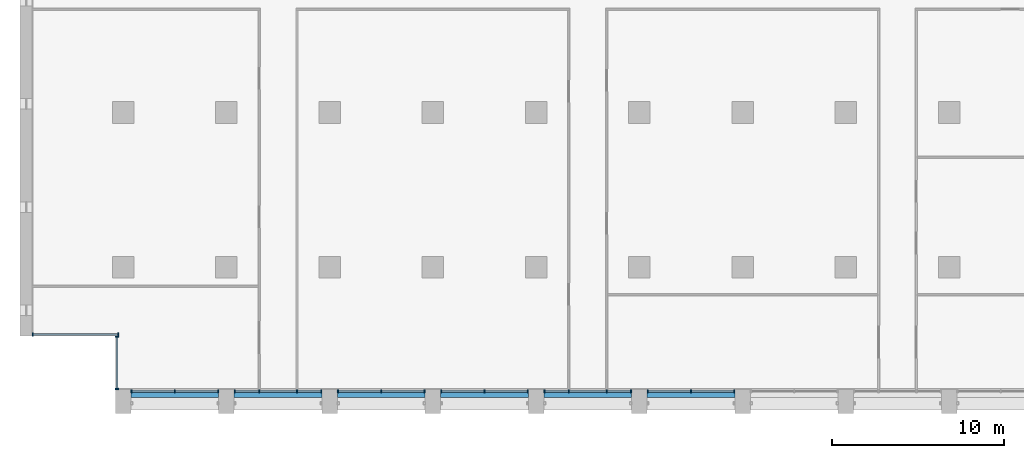
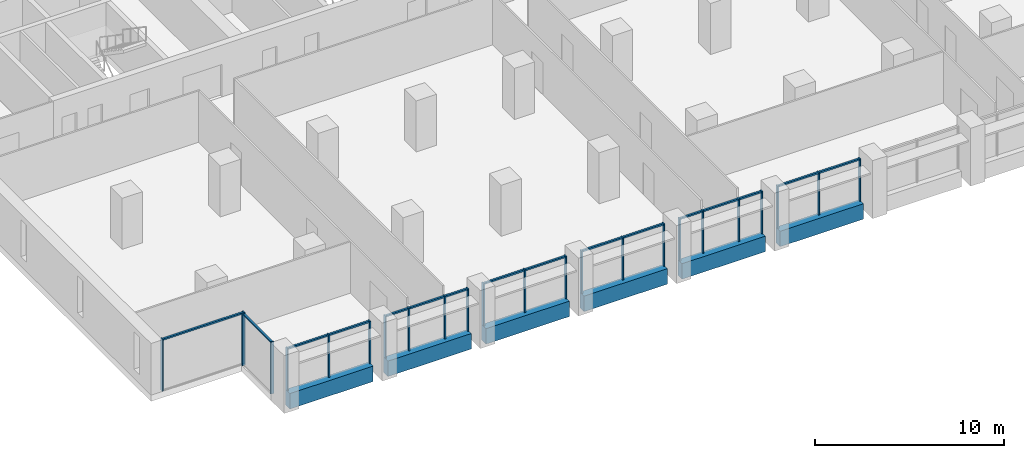
# One storey, part 2 of 16: 40 members, 6 beams, 8 elements without a shape of their own.
"""IFC4 building model written with IfcOpenShell, lengths in metres."""

from ifc_helpers import new_model, si_unit, direction, frame, origin, origin_2d, place, context, subcontext, project, spatial, rectangle, extrude, material, material_profile, profile_set, type_object, element, aggregate, save


model = new_model("IFC4")

# Units and contexts
model_context = context("Model", 3, precision=1e-05, world=origin(), true_north=direction((0.0, 1.0)))
body_context = subcontext(model_context, "Body", "Model", "MODEL_VIEW")
ifc_project = project(units=[si_unit("LENGTHUNIT", "METRE"), si_unit("AREAUNIT", "SQUARE_METRE"), si_unit("VOLUMEUNIT", "CUBIC_METRE"), si_unit("PLANEANGLEUNIT", "RADIAN"), si_unit("MASSUNIT", "GRAM", prefix="KILO")], contexts=[model_context])

# Site, building, storey
site_placement = place(None, origin())
site = spatial("IfcSite", under=ifc_project, at=site_placement, CompositionType="ELEMENT")
building_placement = place(site_placement, origin())
building = spatial("IfcBuilding", under=site, at=building_placement, Name="Calvaro Tower", CompositionType="ELEMENT")
storey_placement = place(building_placement, frame((0.0, 0.0, 140.0)))
storey = spatial("IfcBuildingStorey", under=building, at=storey_placement, Name="L35", CompositionType="ELEMENT", Elevation=140.0)

# Curtain wall, members
ifc_material_1 = material(Name="Anodised aluminium", Category="aluminium")
curtain_wall_type = type_object("IfcCurtainWallType", Name="Office curtain wall, middle zone", PredefinedType="NOTDEFINED", material=ifc_material_1)
curtain_wall_1_placement = place(storey_placement, origin())
curtain_wall_1 = element("IfcCurtainWall", 1, at=curtain_wall_1_placement, inside=storey, type_object=curtain_wall_type, Name="CW2 south curtain wall", PredefinedType="NOTDEFINED")
ifc_material_2 = material(Name="Anodised aluminium", Category="aluminium")
ifc_material_profile_1 = material_profile(ifc_material_2, rectangle(XDim=0.199951171875, YDim=0.070068359375, at=origin_2d()), Name="Mullion S2 70 x 200")
ifc_profile_set_1 = profile_set([ifc_material_profile_1], Name="Anodised aluminium")
member_type_1 = type_object("IfcMemberType", Name="Mullion S2 70 x 200", PredefinedType="MULLION", material=ifc_profile_set_1)
member_1_placement = place(storey_placement, frame((6.485107421875, 2.800048828125, 0.0), z_axis=(0.0, 0.0, 1.0), x_axis=(0.0, 1.0, 0.0)))
member_1 = element("IfcMember", 2, at=member_1_placement, type_object=member_type_1, Name="CW2 mullion 1", PredefinedType="MULLION", context=body_context, shape_type="SweptSolid", body=[
    extrude(rectangle(XDim=0.199951171875, YDim=0.070068359375, at=origin_2d()), origin(), (0.0, 0.0, 1.0), 2.75),
])
member_2_placement = place(storey_placement, frame((9.0, 2.800048828125, 0.0), z_axis=(0.0, 0.0, 1.0), x_axis=(0.0, 1.0, 0.0)))
member_2 = element("IfcMember", 3, at=member_2_placement, type_object=member_type_1, Name="CW2 mullion 2", PredefinedType="MULLION", context=body_context, shape_type="SweptSolid", body=[
    extrude(rectangle(XDim=0.199951171875, YDim=0.070068359375, at=origin_2d()), origin(), (0.0, 0.0, 1.0), 2.75),
])
member_3_placement = place(storey_placement, frame((11.514892578125, 2.800048828125, 0.0), z_axis=(0.0, 0.0, 1.0), x_axis=(0.0, 1.0, 0.0)))
member_3 = element("IfcMember", 4, at=member_3_placement, type_object=member_type_1, Name="CW2 mullion 3", PredefinedType="MULLION", context=body_context, shape_type="SweptSolid", body=[
    extrude(rectangle(XDim=0.199951171875, YDim=0.070068359375, at=origin_2d()), origin(), (0.0, 0.0, 1.0), 2.75),
])

curtain_wall_2_placement = place(storey_placement, origin())
curtain_wall_2 = element("IfcCurtainWall", 5, at=curtain_wall_2_placement, inside=storey, type_object=curtain_wall_type, Name="CW2 south curtain wall", PredefinedType="NOTDEFINED")
member_4_placement = place(storey_placement, frame((12.485107421875, 2.800048828125, 0.0), z_axis=(0.0, 0.0, 1.0), x_axis=(0.0, 1.0, 0.0)))
member_4 = element("IfcMember", 6, at=member_4_placement, type_object=member_type_1, Name="CW2 mullion 1", PredefinedType="MULLION", context=body_context, shape_type="SweptSolid", body=[
    extrude(rectangle(XDim=0.199951171875, YDim=0.070068359375, at=origin_2d()), origin(), (0.0, 0.0, 1.0), 2.75),
])
member_5_placement = place(storey_placement, frame((13.89990234375, 2.800048828125, 0.0), z_axis=(0.0, 0.0, 1.0), x_axis=(0.0, 1.0, 0.0)))
member_5 = element("IfcMember", 7, at=member_5_placement, type_object=member_type_1, Name="CW2 mullion 2", PredefinedType="MULLION", context=body_context, shape_type="SweptSolid", body=[
    extrude(rectangle(XDim=0.199951171875, YDim=0.070068359375, at=origin_2d()), origin(), (0.0, 0.0, 1.0), 2.75),
])
member_6_placement = place(storey_placement, frame((16.10009765625, 2.800048828125, 0.0), z_axis=(0.0, 0.0, 1.0), x_axis=(0.0, 1.0, 0.0)))
member_6 = element("IfcMember", 8, at=member_6_placement, type_object=member_type_1, Name="CW2 mullion 3", PredefinedType="MULLION", context=body_context, shape_type="SweptSolid", body=[
    extrude(rectangle(XDim=0.199951171875, YDim=0.070068359375, at=origin_2d()), origin(), (0.0, 0.0, 1.0), 2.75),
])
member_7_placement = place(storey_placement, frame((17.514892578125, 2.800048828125, 0.0), z_axis=(0.0, 0.0, 1.0), x_axis=(0.0, 1.0, 0.0)))
member_7 = element("IfcMember", 9, at=member_7_placement, type_object=member_type_1, Name="CW2 mullion 4", PredefinedType="MULLION", context=body_context, shape_type="SweptSolid", body=[
    extrude(rectangle(XDim=0.199951171875, YDim=0.070068359375, at=origin_2d()), origin(), (0.0, 0.0, 1.0), 2.75),
])

curtain_wall_3_placement = place(storey_placement, origin())
curtain_wall_3 = element("IfcCurtainWall", 10, at=curtain_wall_3_placement, inside=storey, type_object=curtain_wall_type, Name="CW2 south curtain wall", PredefinedType="NOTDEFINED")
member_8_placement = place(storey_placement, frame((18.485107421875, 2.800048828125, 0.0), z_axis=(0.0, 0.0, 1.0), x_axis=(0.0, 1.0, 0.0)))
member_8 = element("IfcMember", 11, at=member_8_placement, type_object=member_type_1, Name="CW2 mullion 1", PredefinedType="MULLION", context=body_context, shape_type="SweptSolid", body=[
    extrude(rectangle(XDim=0.199951171875, YDim=0.070068359375, at=origin_2d()), origin(), (0.0, 0.0, 1.0), 2.75),
])
member_9_placement = place(storey_placement, frame((21.0, 2.800048828125, 0.0), z_axis=(0.0, 0.0, 1.0), x_axis=(0.0, 1.0, 0.0)))
member_9 = element("IfcMember", 12, at=member_9_placement, type_object=member_type_1, Name="CW2 mullion 2", PredefinedType="MULLION", context=body_context, shape_type="SweptSolid", body=[
    extrude(rectangle(XDim=0.199951171875, YDim=0.070068359375, at=origin_2d()), origin(), (0.0, 0.0, 1.0), 2.75),
])
member_10_placement = place(storey_placement, frame((23.514892578125, 2.800048828125, 0.0), z_axis=(0.0, 0.0, 1.0), x_axis=(0.0, 1.0, 0.0)))
member_10 = element("IfcMember", 13, at=member_10_placement, type_object=member_type_1, Name="CW2 mullion 3", PredefinedType="MULLION", context=body_context, shape_type="SweptSolid", body=[
    extrude(rectangle(XDim=0.199951171875, YDim=0.070068359375, at=origin_2d()), origin(), (0.0, 0.0, 1.0), 2.75),
])

curtain_wall_4_placement = place(storey_placement, origin())
curtain_wall_4 = element("IfcCurtainWall", 14, at=curtain_wall_4_placement, inside=storey, type_object=curtain_wall_type, Name="CW2 south curtain wall", PredefinedType="NOTDEFINED")
member_11_placement = place(storey_placement, frame((24.485107421875, 2.800048828125, 0.0), z_axis=(0.0, 0.0, 1.0), x_axis=(0.0, 1.0, 0.0)))
member_11 = element("IfcMember", 15, at=member_11_placement, type_object=member_type_1, Name="CW2 mullion 1", PredefinedType="MULLION", context=body_context, shape_type="SweptSolid", body=[
    extrude(rectangle(XDim=0.199951171875, YDim=0.070068359375, at=origin_2d()), origin(), (0.0, 0.0, 1.0), 2.75),
])
member_12_placement = place(storey_placement, frame((27.0, 2.800048828125, 0.0), z_axis=(0.0, 0.0, 1.0), x_axis=(0.0, 1.0, 0.0)))
member_12 = element("IfcMember", 16, at=member_12_placement, type_object=member_type_1, Name="CW2 mullion 2", PredefinedType="MULLION", context=body_context, shape_type="SweptSolid", body=[
    extrude(rectangle(XDim=0.199951171875, YDim=0.070068359375, at=origin_2d()), origin(), (0.0, 0.0, 1.0), 2.75),
])
member_13_placement = place(storey_placement, frame((29.514892578125, 2.800048828125, 0.0), z_axis=(0.0, 0.0, 1.0), x_axis=(0.0, 1.0, 0.0)))
member_13 = element("IfcMember", 17, at=member_13_placement, type_object=member_type_1, Name="CW2 mullion 3", PredefinedType="MULLION", context=body_context, shape_type="SweptSolid", body=[
    extrude(rectangle(XDim=0.199951171875, YDim=0.070068359375, at=origin_2d()), origin(), (0.0, 0.0, 1.0), 2.75),
])

curtain_wall_5_placement = place(storey_placement, origin())
curtain_wall_5 = element("IfcCurtainWall", 18, at=curtain_wall_5_placement, inside=storey, type_object=curtain_wall_type, Name="CW2 south curtain wall", PredefinedType="NOTDEFINED")
member_14_placement = place(storey_placement, frame((30.485107421875, 2.800048828125, 0.0), z_axis=(0.0, 0.0, 1.0), x_axis=(0.0, 1.0, 0.0)))
member_14 = element("IfcMember", 19, at=member_14_placement, type_object=member_type_1, Name="CW2 mullion 1", PredefinedType="MULLION", context=body_context, shape_type="SweptSolid", body=[
    extrude(rectangle(XDim=0.199951171875, YDim=0.070068359375, at=origin_2d()), origin(), (0.0, 0.0, 1.0), 2.75),
])
member_15_placement = place(storey_placement, frame((31.89990234375, 2.800048828125, 0.0), z_axis=(0.0, 0.0, 1.0), x_axis=(0.0, 1.0, 0.0)))
member_15 = element("IfcMember", 20, at=member_15_placement, type_object=member_type_1, Name="CW2 mullion 2", PredefinedType="MULLION", context=body_context, shape_type="SweptSolid", body=[
    extrude(rectangle(XDim=0.199951171875, YDim=0.070068359375, at=origin_2d()), origin(), (0.0, 0.0, 1.0), 2.75),
])
member_16_placement = place(storey_placement, frame((34.10009765625, 2.800048828125, 0.0), z_axis=(0.0, 0.0, 1.0), x_axis=(0.0, 1.0, 0.0)))
member_16 = element("IfcMember", 21, at=member_16_placement, type_object=member_type_1, Name="CW2 mullion 3", PredefinedType="MULLION", context=body_context, shape_type="SweptSolid", body=[
    extrude(rectangle(XDim=0.199951171875, YDim=0.070068359375, at=origin_2d()), origin(), (0.0, 0.0, 1.0), 2.75),
])
member_17_placement = place(storey_placement, frame((35.514892578125, 2.800048828125, 0.0), z_axis=(0.0, 0.0, 1.0), x_axis=(0.0, 1.0, 0.0)))
member_17 = element("IfcMember", 22, at=member_17_placement, type_object=member_type_1, Name="CW2 mullion 4", PredefinedType="MULLION", context=body_context, shape_type="SweptSolid", body=[
    extrude(rectangle(XDim=0.199951171875, YDim=0.070068359375, at=origin_2d()), origin(), (0.0, 0.0, 1.0), 2.75),
])

curtain_wall_6_placement = place(storey_placement, origin())
curtain_wall_6 = element("IfcCurtainWall", 23, at=curtain_wall_6_placement, inside=storey, type_object=curtain_wall_type, Name="CW2 south curtain wall", PredefinedType="NOTDEFINED")
member_18_placement = place(storey_placement, frame((36.485107421875, 2.800048828125, 0.0), z_axis=(0.0, 0.0, 1.0), x_axis=(0.0, 1.0, 0.0)))
member_18 = element("IfcMember", 24, at=member_18_placement, type_object=member_type_1, Name="CW2 mullion 1", PredefinedType="MULLION", context=body_context, shape_type="SweptSolid", body=[
    extrude(rectangle(XDim=0.199951171875, YDim=0.070068359375, at=origin_2d()), origin(), (0.0, 0.0, 1.0), 2.75),
])
member_19_placement = place(storey_placement, frame((39.0, 2.800048828125, 0.0), z_axis=(0.0, 0.0, 1.0), x_axis=(0.0, 1.0, 0.0)))
member_19 = element("IfcMember", 25, at=member_19_placement, type_object=member_type_1, Name="CW2 mullion 2", PredefinedType="MULLION", context=body_context, shape_type="SweptSolid", body=[
    extrude(rectangle(XDim=0.199951171875, YDim=0.070068359375, at=origin_2d()), origin(), (0.0, 0.0, 1.0), 2.75),
])
member_20_placement = place(storey_placement, frame((41.514892578125, 2.800048828125, 0.0), z_axis=(0.0, 0.0, 1.0), x_axis=(0.0, 1.0, 0.0)))
member_20 = element("IfcMember", 26, at=member_20_placement, type_object=member_type_1, Name="CW2 mullion 3", PredefinedType="MULLION", context=body_context, shape_type="SweptSolid", body=[
    extrude(rectangle(XDim=0.199951171875, YDim=0.070068359375, at=origin_2d()), origin(), (0.0, 0.0, 1.0), 2.75),
])

curtain_wall_7_placement = place(storey_placement, origin())
curtain_wall_7 = element("IfcCurtainWall", 27, at=curtain_wall_7_placement, inside=storey, type_object=curtain_wall_type, Name="CW2 corner curtain wall", PredefinedType="NOTDEFINED")
member_21_placement = place(storey_placement, frame((5.64990234375, 2.93505859375, 0.0), z_axis=(0.0, 0.0, 1.0), x_axis=(-1.0, 0.0, 0.0)))
member_21 = element("IfcMember", 28, at=member_21_placement, type_object=member_type_1, Name="CW2 mullion 1", PredefinedType="MULLION", context=body_context, shape_type="SweptSolid", body=[
    extrude(rectangle(XDim=0.199951171875, YDim=0.070068359375, at=origin_2d()), origin(), (0.0, 0.0, 1.0), 3.35009765625),
])
member_22_placement = place(storey_placement, frame((5.64990234375, 5.965087890625, 0.0), z_axis=(0.0, 0.0, 1.0), x_axis=(-1.0, 0.0, 0.0)))
member_22 = element("IfcMember", 29, at=member_22_placement, type_object=member_type_1, Name="CW2 mullion 2", PredefinedType="MULLION", context=body_context, shape_type="SweptSolid", body=[
    extrude(rectangle(XDim=0.199951171875, YDim=0.070068359375, at=origin_2d()), origin(), (0.0, 0.0, 1.0), 3.35009765625),
])

curtain_wall_8_placement = place(storey_placement, origin())
curtain_wall_8 = element("IfcCurtainWall", 30, at=curtain_wall_8_placement, inside=storey, type_object=curtain_wall_type, Name="CW2 corner curtain wall", PredefinedType="NOTDEFINED")
member_23_placement = place(storey_placement, frame((0.735107421875, 6.10009765625, 0.0), z_axis=(0.0, 0.0, 1.0), x_axis=(0.0, 1.0, 0.0)))
member_23 = element("IfcMember", 31, at=member_23_placement, type_object=member_type_1, Name="CW2 mullion 1", PredefinedType="MULLION", context=body_context, shape_type="SweptSolid", body=[
    extrude(rectangle(XDim=0.199951171875, YDim=0.070068359375, at=origin_2d()), origin(), (0.0, 0.0, 1.0), 3.35009765625),
])
member_24_placement = place(storey_placement, frame((5.715087890625, 6.10009765625, 0.0), z_axis=(0.0, 0.0, 1.0), x_axis=(0.0, 1.0, 0.0)))
member_24 = element("IfcMember", 32, at=member_24_placement, type_object=member_type_1, Name="CW2 mullion 2", PredefinedType="MULLION", context=body_context, shape_type="SweptSolid", body=[
    extrude(rectangle(XDim=0.199951171875, YDim=0.070068359375, at=origin_2d()), origin(), (0.0, 0.0, 1.0), 3.35009765625),
])

# Beams
ifc_material_3 = material(Name="Concrete C50/60 precast", Category="concrete")
ifc_material_profile_2 = material_profile(ifc_material_3, rectangle(XDim=0.449951171875, YDim=1.0, at=origin_2d()), Name="RC 450x1000")
ifc_profile_set_2 = profile_set([ifc_material_profile_2], Name="Concrete C50/60 precast")
beam_type = type_object("IfcBeamType", Name="Spandrel beam 450x1000 C50/60", PredefinedType="SPANDREL", material=ifc_profile_set_2)
for number, where, z_axis, x_axis, name in (
    (33, (6.449951171875, 2.675048828125, -0.5), (1.0, 0.0, 0.0), (0.0, 1.0, 0.0), "Spandrel beam"),
    (34, (12.449951171875, 2.675048828125, -0.5), (1.0, 0.0, 0.0), (0.0, 1.0, 0.0), "Spandrel beam"),
    (35, (18.449951171875, 2.675048828125, -0.5), (1.0, 0.0, 0.0), (0.0, 1.0, 0.0), "Spandrel beam"),
    (36, (24.449951171875, 2.675048828125, -0.5), (1.0, 0.0, 0.0), (0.0, 1.0, 0.0), "Spandrel beam"),
    (37, (30.449951171875, 2.675048828125, -0.5), (1.0, 0.0, 0.0), (0.0, 1.0, 0.0), "Spandrel beam"),
    (38, (36.449951171875, 2.675048828125, -0.5), (1.0, 0.0, 0.0), (0.0, 1.0, 0.0), "Spandrel beam"),
):
    element("IfcBeam", number, at=place(storey_placement, frame(where, z_axis=z_axis, x_axis=x_axis)), inside=storey, type_object=beam_type, Name=name, PredefinedType="SPANDREL", context=body_context, shape_type="SweptSolid", body=[
        extrude(rectangle(XDim=0.449951171875, YDim=1.0, at=origin_2d()), origin(), (0.0, 0.0, 1.0), 5.10009765625),
    ])

# Member
ifc_material_4 = material(Name="Anodised aluminium", Category="aluminium")
ifc_material_profile_3 = material_profile(ifc_material_4, rectangle(XDim=0.1201171875, YDim=0.10009765625, at=origin_2d()), Name="Transom S2 100 x 120")
ifc_profile_set_3 = profile_set([ifc_material_profile_3], Name="Anodised aluminium")
member_type_2 = type_object("IfcMemberType", Name="Transom S2 100 x 120", PredefinedType="USERDEFINED", material=ifc_profile_set_3)
member_25_placement = place(storey_placement, frame((6.52001953125, 2.800048828125, 2.699951171875), z_axis=(1.0, 0.0, 0.0), x_axis=(0.0, 1.0, 0.0)))
member_25 = element("IfcMember", 39, at=member_25_placement, type_object=member_type_2, Name="CW2 transom 1.1", ObjectType="TRANSOM", PredefinedType="USERDEFINED", context=body_context, shape_type="SweptSolid", body=[
    extrude(rectangle(XDim=0.1201171875, YDim=0.10009765625, at=origin_2d()), origin(), (0.0, 0.0, 1.0), 2.445068359375),
])

member_26_placement = place(storey_placement, frame((9.034912109375, 2.800048828125, 2.699951171875), z_axis=(1.0, 0.0, 0.0), x_axis=(0.0, 1.0, 0.0)))
member_26 = element("IfcMember", 40, at=member_26_placement, type_object=member_type_2, Name="CW2 transom 2.1", ObjectType="TRANSOM", PredefinedType="USERDEFINED", context=body_context, shape_type="SweptSolid", body=[
    extrude(rectangle(XDim=0.1201171875, YDim=0.10009765625, at=origin_2d()), origin(), (0.0, 0.0, 1.0), 2.445068359375),
])

aggregate(curtain_wall_1, [member_1, member_2, member_3, member_25, member_26])

member_27_placement = place(storey_placement, frame((12.52001953125, 2.800048828125, 2.699951171875), z_axis=(1.0, 0.0, 0.0), x_axis=(0.0, 1.0, 0.0)))
member_27 = element("IfcMember", 41, at=member_27_placement, type_object=member_type_2, Name="CW2 transom 1.1", ObjectType="TRANSOM", PredefinedType="USERDEFINED", context=body_context, shape_type="SweptSolid", body=[
    extrude(rectangle(XDim=0.1201171875, YDim=0.10009765625, at=origin_2d()), origin(), (0.0, 0.0, 1.0), 1.344970703125),
])

member_28_placement = place(storey_placement, frame((13.93505859375, 2.800048828125, 2.699951171875), z_axis=(1.0, 0.0, 0.0), x_axis=(0.0, 1.0, 0.0)))
member_28 = element("IfcMember", 42, at=member_28_placement, type_object=member_type_2, Name="CW2 transom 2.1", ObjectType="TRANSOM", PredefinedType="USERDEFINED", context=body_context, shape_type="SweptSolid", body=[
    extrude(rectangle(XDim=0.1201171875, YDim=0.10009765625, at=origin_2d()), origin(), (0.0, 0.0, 1.0), 2.1298828125),
])

member_29_placement = place(storey_placement, frame((16.135009765625, 2.800048828125, 2.699951171875), z_axis=(1.0, 0.0, 0.0), x_axis=(0.0, 1.0, 0.0)))
member_29 = element("IfcMember", 43, at=member_29_placement, type_object=member_type_2, Name="CW2 transom 3.1", ObjectType="TRANSOM", PredefinedType="USERDEFINED", context=body_context, shape_type="SweptSolid", body=[
    extrude(rectangle(XDim=0.1201171875, YDim=0.10009765625, at=origin_2d()), origin(), (0.0, 0.0, 1.0), 1.344970703125),
])

aggregate(curtain_wall_2, [member_4, member_5, member_6, member_7, member_27, member_28, member_29])

member_30_placement = place(storey_placement, frame((18.52001953125, 2.800048828125, 2.699951171875), z_axis=(1.0, 0.0, 0.0), x_axis=(0.0, 1.0, 0.0)))
member_30 = element("IfcMember", 44, at=member_30_placement, type_object=member_type_2, Name="CW2 transom 1.1", ObjectType="TRANSOM", PredefinedType="USERDEFINED", context=body_context, shape_type="SweptSolid", body=[
    extrude(rectangle(XDim=0.1201171875, YDim=0.10009765625, at=origin_2d()), origin(), (0.0, 0.0, 1.0), 2.445068359375),
])

member_31_placement = place(storey_placement, frame((21.034912109375, 2.800048828125, 2.699951171875), z_axis=(1.0, 0.0, 0.0), x_axis=(0.0, 1.0, 0.0)))
member_31 = element("IfcMember", 45, at=member_31_placement, type_object=member_type_2, Name="CW2 transom 2.1", ObjectType="TRANSOM", PredefinedType="USERDEFINED", context=body_context, shape_type="SweptSolid", body=[
    extrude(rectangle(XDim=0.1201171875, YDim=0.10009765625, at=origin_2d()), origin(), (0.0, 0.0, 1.0), 2.445068359375),
])

aggregate(curtain_wall_3, [member_8, member_9, member_10, member_30, member_31])

member_32_placement = place(storey_placement, frame((24.52001953125, 2.800048828125, 2.699951171875), z_axis=(1.0, 0.0, 0.0), x_axis=(0.0, 1.0, 0.0)))
member_32 = element("IfcMember", 46, at=member_32_placement, type_object=member_type_2, Name="CW2 transom 1.1", ObjectType="TRANSOM", PredefinedType="USERDEFINED", context=body_context, shape_type="SweptSolid", body=[
    extrude(rectangle(XDim=0.1201171875, YDim=0.10009765625, at=origin_2d()), origin(), (0.0, 0.0, 1.0), 2.445068359375),
])

member_33_placement = place(storey_placement, frame((27.034912109375, 2.800048828125, 2.699951171875), z_axis=(1.0, 0.0, 0.0), x_axis=(0.0, 1.0, 0.0)))
member_33 = element("IfcMember", 47, at=member_33_placement, type_object=member_type_2, Name="CW2 transom 2.1", ObjectType="TRANSOM", PredefinedType="USERDEFINED", context=body_context, shape_type="SweptSolid", body=[
    extrude(rectangle(XDim=0.1201171875, YDim=0.10009765625, at=origin_2d()), origin(), (0.0, 0.0, 1.0), 2.445068359375),
])

aggregate(curtain_wall_4, [member_11, member_12, member_13, member_32, member_33])

member_34_placement = place(storey_placement, frame((30.52001953125, 2.800048828125, 2.699951171875), z_axis=(1.0, 0.0, 0.0), x_axis=(0.0, 1.0, 0.0)))
member_34 = element("IfcMember", 48, at=member_34_placement, type_object=member_type_2, Name="CW2 transom 1.1", ObjectType="TRANSOM", PredefinedType="USERDEFINED", context=body_context, shape_type="SweptSolid", body=[
    extrude(rectangle(XDim=0.1201171875, YDim=0.10009765625, at=origin_2d()), origin(), (0.0, 0.0, 1.0), 1.344970703125),
])

member_35_placement = place(storey_placement, frame((31.93505859375, 2.800048828125, 2.699951171875), z_axis=(1.0, 0.0, 0.0), x_axis=(0.0, 1.0, 0.0)))
member_35 = element("IfcMember", 49, at=member_35_placement, type_object=member_type_2, Name="CW2 transom 2.1", ObjectType="TRANSOM", PredefinedType="USERDEFINED", context=body_context, shape_type="SweptSolid", body=[
    extrude(rectangle(XDim=0.1201171875, YDim=0.10009765625, at=origin_2d()), origin(), (0.0, 0.0, 1.0), 2.1298828125),
])

member_36_placement = place(storey_placement, frame((34.135009765625, 2.800048828125, 2.699951171875), z_axis=(1.0, 0.0, 0.0), x_axis=(0.0, 1.0, 0.0)))
member_36 = element("IfcMember", 50, at=member_36_placement, type_object=member_type_2, Name="CW2 transom 3.1", ObjectType="TRANSOM", PredefinedType="USERDEFINED", context=body_context, shape_type="SweptSolid", body=[
    extrude(rectangle(XDim=0.1201171875, YDim=0.10009765625, at=origin_2d()), origin(), (0.0, 0.0, 1.0), 1.344970703125),
])

aggregate(curtain_wall_5, [member_14, member_15, member_16, member_17, member_34, member_35, member_36])

member_37_placement = place(storey_placement, frame((36.52001953125, 2.800048828125, 2.699951171875), z_axis=(1.0, 0.0, 0.0), x_axis=(0.0, 1.0, 0.0)))
member_37 = element("IfcMember", 51, at=member_37_placement, type_object=member_type_2, Name="CW2 transom 1.1", ObjectType="TRANSOM", PredefinedType="USERDEFINED", context=body_context, shape_type="SweptSolid", body=[
    extrude(rectangle(XDim=0.1201171875, YDim=0.10009765625, at=origin_2d()), origin(), (0.0, 0.0, 1.0), 2.445068359375),
])

member_38_placement = place(storey_placement, frame((39.034912109375, 2.800048828125, 2.699951171875), z_axis=(1.0, 0.0, 0.0), x_axis=(0.0, 1.0, 0.0)))
member_38 = element("IfcMember", 52, at=member_38_placement, type_object=member_type_2, Name="CW2 transom 2.1", ObjectType="TRANSOM", PredefinedType="USERDEFINED", context=body_context, shape_type="SweptSolid", body=[
    extrude(rectangle(XDim=0.1201171875, YDim=0.10009765625, at=origin_2d()), origin(), (0.0, 0.0, 1.0), 2.445068359375),
])

aggregate(curtain_wall_6, [member_18, member_19, member_20, member_37, member_38])

member_39_placement = place(storey_placement, frame((5.64990234375, 2.969970703125, 3.300048828125), z_axis=(0.0, 1.0, 0.0), x_axis=(-1.0, 0.0, 0.0)))
member_39 = element("IfcMember", 53, at=member_39_placement, type_object=member_type_2, Name="CW2 transom 1.1", ObjectType="TRANSOM", PredefinedType="USERDEFINED", context=body_context, shape_type="SweptSolid", body=[
    extrude(rectangle(XDim=0.1201171875, YDim=0.10009765625, at=origin_2d()), origin(), (0.0, 0.0, 1.0), 2.9599609375),
])

aggregate(curtain_wall_7, [member_21, member_22, member_39])

member_40_placement = place(storey_placement, frame((0.77001953125, 6.10009765625, 3.300048828125), z_axis=(1.0, 0.0, 0.0), x_axis=(0.0, 1.0, 0.0)))
member_40 = element("IfcMember", 54, at=member_40_placement, type_object=member_type_2, Name="CW2 transom 1.1", ObjectType="TRANSOM", PredefinedType="USERDEFINED", context=body_context, shape_type="SweptSolid", body=[
    extrude(rectangle(XDim=0.1201171875, YDim=0.10009765625, at=origin_2d()), origin(), (0.0, 0.0, 1.0), 4.909912109375),
])

aggregate(curtain_wall_8, [member_23, member_24, member_40])

save(model, "model.ifc")
